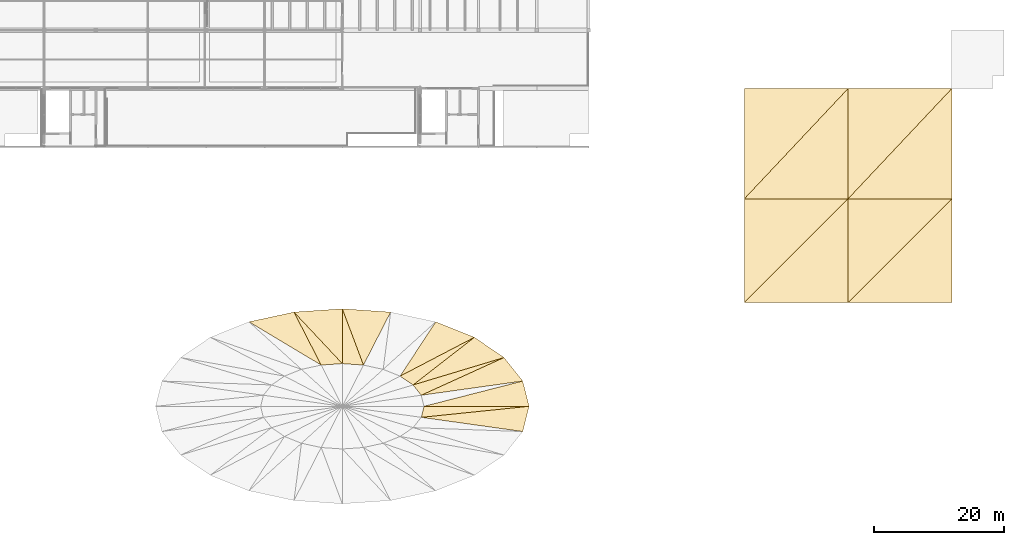
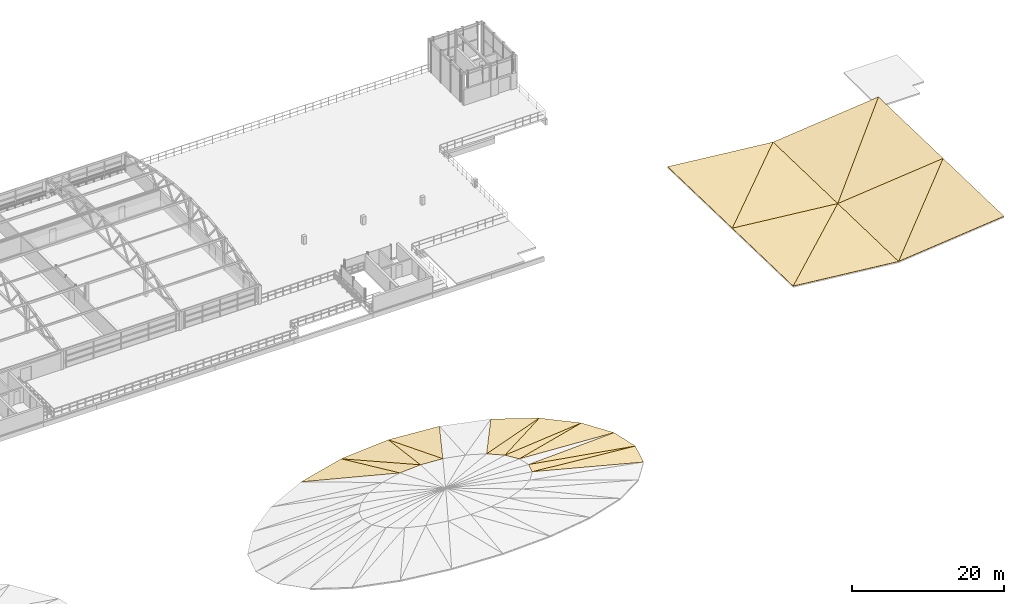
# One storey, part 50 of 50: 21 coverings.
"""IFC4 building model written with IfcOpenShell, lengths in metres."""

from ifc_helpers import new_model, si_unit, derived_unit, direction, frame, origin, place, context, subcontext, project, spatial, polygons, material, layer, layer_set, type_object, element, save


model = new_model("IFC4")

# Units and contexts
model_context = context("Model", 3, precision=1e-05, world=origin(), true_north=direction((0.0, 1.0)))
body_context = subcontext(model_context, "Body", "Model", "MODEL_VIEW")
ifc_project = project(units=[si_unit("LENGTHUNIT", "METRE"), si_unit("AREAUNIT", "SQUARE_METRE"), si_unit("VOLUMEUNIT", "CUBIC_METRE"), si_unit("PLANEANGLEUNIT", "RADIAN"), si_unit("MASSUNIT", "GRAM", prefix="KILO"), si_unit("THERMODYNAMICTEMPERATUREUNIT", "KELVIN"), derived_unit("THERMALTRANSMITTANCEUNIT", [(si_unit("POWERUNIT", "WATT"), 1), (si_unit("AREAUNIT", "SQUARE_METRE"), -1), (si_unit("THERMODYNAMICTEMPERATUREUNIT", "KELVIN"), -1)])], contexts=[model_context])

# Site, building, storey
site_placement = place(None, origin())
site = spatial("IfcSite", under=ifc_project, at=site_placement, CompositionType="ELEMENT")
building_placement = place(site_placement, origin())
building = spatial("IfcBuilding", under=site, at=building_placement, Name="Haiyu Intermodal Mobility Hub", CompositionType="ELEMENT")
storey_placement = place(building_placement, frame((0.0, 0.0, 25.10009765625)))
storey = spatial("IfcBuildingStorey", under=building, at=storey_placement, Name="L06", CompositionType="ELEMENT", Elevation=25.10009765625)

# Coverings
ifc_material_1 = material(Name="PTFE tensile membrane")
ifc_layer_1 = layer(ifc_material_1, 0.050048828125)
ifc_layer_set_1 = layer_set([ifc_layer_1], Name="PTFE tensile membrane")
covering_type_1 = type_object("IfcCoveringType", Name="COV-CV03", PredefinedType="ROOFING", material=ifc_layer_set_1)
covering_1_placement = place(storey_placement, origin())
element("IfcCovering", 1, at=covering_1_placement, inside=storey, type_object=covering_type_1, Name="PTFE Saddle Membrane 025", PredefinedType="ROOFING", context=body_context, shape_type="Tessellation", body=[
    polygons([(120.60009765625, 64.0, -0.589111328125), (136.800048828125, 64.0, -3.2880859375), (135.819091796875, 67.89306640625, -3.156982421875), (120.60009765625, 64.0, -0.5390625), (136.800048828125, 64.0, -3.238037109375), (135.819091796875, 67.89306640625, -3.107177734375)], [[[3, 2, 1]], [[4, 5, 6]], [[1, 2, 5, 4]], [[2, 3, 6, 5]], [[3, 1, 4, 6]]], closed=True),
])
covering_2_placement = place(storey_placement, origin())
element("IfcCovering", 2, at=covering_2_placement, inside=storey, type_object=covering_type_1, Name="PTFE Saddle Membrane 027", PredefinedType="ROOFING", context=body_context, shape_type="Tessellation", body=[
    polygons([(120.1708984375, 65.702880859375, -0.564208984375), (135.819091796875, 67.89306640625, -3.156982421875), (132.94189453125, 71.52001953125, -2.797119140625), (120.1708984375, 65.702880859375, -0.51416015625), (135.819091796875, 67.89306640625, -3.107177734375), (132.94189453125, 71.52001953125, -2.7470703125)], [[[3, 2, 1]], [[4, 5, 6]], [[1, 2, 5, 4]], [[2, 3, 6, 5]], [[3, 1, 4, 6]]], closed=True),
])
covering_3_placement = place(storey_placement, origin())
element("IfcCovering", 3, at=covering_3_placement, inside=storey, type_object=covering_type_1, Name="PTFE Saddle Membrane 028", PredefinedType="ROOFING", context=body_context, shape_type="Tessellation", body=[
    polygons([(120.1708984375, 65.702880859375, -0.564208984375), (132.94189453125, 71.52001953125, -2.797119140625), (118.912109375, 67.2900390625, -0.4951171875), (120.1708984375, 65.702880859375, -0.51416015625), (132.94189453125, 71.52001953125, -2.7470703125), (118.912109375, 67.2900390625, -0.445068359375)], [[[3, 2, 1]], [[4, 5, 6]], [[1, 2, 5, 4]], [[2, 3, 6, 5]], [[3, 1, 4, 6]]], closed=True),
])
covering_4_placement = place(storey_placement, origin())
element("IfcCovering", 4, at=covering_4_placement, inside=storey, type_object=covering_type_1, Name="PTFE Saddle Membrane 029", PredefinedType="ROOFING", context=body_context, shape_type="Tessellation", body=[
    polygons([(118.912109375, 67.2900390625, -0.4951171875), (132.94189453125, 71.52001953125, -2.797119140625), (128.364990234375, 74.635009765625, -2.30517578125), (118.912109375, 67.2900390625, -0.445068359375), (132.94189453125, 71.52001953125, -2.7470703125), (128.364990234375, 74.635009765625, -2.255126953125)], [[[3, 2, 1]], [[4, 5, 6]], [[1, 2, 5, 4]], [[2, 3, 6, 5]], [[3, 1, 4, 6]]], closed=True),
])
covering_5_placement = place(storey_placement, origin())
element("IfcCovering", 5, at=covering_5_placement, inside=storey, type_object=covering_type_1, Name="PTFE Saddle Membrane 030", PredefinedType="ROOFING", context=body_context, shape_type="Tessellation", body=[
    polygons([(118.912109375, 67.2900390625, -0.4951171875), (128.364990234375, 74.635009765625, -2.30517578125), (116.909912109375, 68.653076171875, -0.401123046875), (118.912109375, 67.2900390625, -0.445068359375), (128.364990234375, 74.635009765625, -2.255126953125), (116.909912109375, 68.653076171875, -0.35107421875)], [[[3, 2, 1]], [[4, 5, 6]], [[1, 2, 5, 4]], [[2, 3, 6, 5]], [[3, 1, 4, 6]]], closed=True),
])
covering_6_placement = place(storey_placement, origin())
element("IfcCovering", 6, at=covering_6_placement, inside=storey, type_object=covering_type_1, Name="PTFE Saddle Membrane 031", PredefinedType="ROOFING", context=body_context, shape_type="Tessellation", body=[
    polygons([(116.909912109375, 68.653076171875, -0.401123046875), (128.364990234375, 74.635009765625, -2.30517578125), (122.39990234375, 77.02490234375, -1.814208984375), (116.909912109375, 68.653076171875, -0.35107421875), (128.364990234375, 74.635009765625, -2.255126953125), (122.39990234375, 77.02490234375, -1.76416015625)], [[[3, 2, 1]], [[4, 5, 6]], [[1, 2, 5, 4]], [[2, 3, 6, 5]], [[3, 1, 4, 6]]], closed=True),
])
covering_7_placement = place(storey_placement, origin())
element("IfcCovering", 7, at=covering_7_placement, inside=storey, type_object=covering_type_1, Name="PTFE Saddle Membrane 035", PredefinedType="ROOFING", context=body_context, shape_type="Tessellation", body=[
    polygons([(111.260986328125, 70.35595703125, -0.238037109375), (115.4541015625, 78.528076171875, -1.4541015625), (108.0, 79.0400390625, -1.322021484375), (111.260986328125, 70.35595703125, -0.18798828125), (115.4541015625, 78.528076171875, -1.404052734375), (108.0, 79.0400390625, -1.272216796875)], [[[3, 2, 1]], [[4, 5, 6]], [[1, 2, 5, 4]], [[2, 3, 6, 5]], [[3, 1, 4, 6]]], closed=True),
])
covering_8_placement = place(storey_placement, origin())
element("IfcCovering", 8, at=covering_8_placement, inside=storey, type_object=covering_type_1, Name="PTFE Saddle Membrane 036", PredefinedType="ROOFING", context=body_context, shape_type="Tessellation", body=[
    polygons([(111.260986328125, 70.35595703125, -0.238037109375), (108.0, 79.0400390625, -1.322021484375), (108.0, 70.580078125, -0.213134765625), (111.260986328125, 70.35595703125, -0.18798828125), (108.0, 79.0400390625, -1.272216796875), (108.0, 70.580078125, -0.1630859375)], [[[3, 2, 1]], [[4, 5, 6]], [[1, 2, 5, 4]], [[2, 3, 6, 5]], [[3, 1, 4, 6]]], closed=True),
])
covering_9_placement = place(storey_placement, origin())
element("IfcCovering", 9, at=covering_9_placement, inside=storey, type_object=covering_type_1, Name="PTFE Saddle Membrane 037", PredefinedType="ROOFING", context=body_context, shape_type="Tessellation", body=[
    polygons([(108.0, 70.580078125, -0.213134765625), (108.0, 79.0400390625, -1.322021484375), (100.5458984375, 78.528076171875, -1.4541015625), (108.0, 70.580078125, -0.1630859375), (108.0, 79.0400390625, -1.272216796875), (100.5458984375, 78.528076171875, -1.404052734375)], [[[3, 2, 1]], [[4, 5, 6]], [[1, 2, 5, 4]], [[2, 3, 6, 5]], [[3, 1, 4, 6]]], closed=True),
])
covering_10_placement = place(storey_placement, origin())
element("IfcCovering", 10, at=covering_10_placement, inside=storey, type_object=covering_type_1, Name="PTFE Saddle Membrane 038", PredefinedType="ROOFING", context=body_context, shape_type="Tessellation", body=[
    polygons([(108.0, 70.580078125, -0.213134765625), (100.5458984375, 78.528076171875, -1.4541015625), (104.739013671875, 70.35595703125, -0.238037109375), (108.0, 70.580078125, -0.1630859375), (100.5458984375, 78.528076171875, -1.404052734375), (104.739013671875, 70.35595703125, -0.18798828125)], [[[3, 2, 1]], [[4, 5, 6]], [[1, 2, 5, 4]], [[2, 3, 6, 5]], [[3, 1, 4, 6]]], closed=True),
])
covering_11_placement = place(storey_placement, origin())
element("IfcCovering", 11, at=covering_11_placement, inside=storey, type_object=covering_type_1, Name="PTFE Saddle Membrane 039", PredefinedType="ROOFING", context=body_context, shape_type="Tessellation", body=[
    polygons([(104.739013671875, 70.35595703125, -0.238037109375), (100.5458984375, 78.528076171875, -1.4541015625), (93.60009765625, 77.02490234375, -1.814208984375), (104.739013671875, 70.35595703125, -0.18798828125), (100.5458984375, 78.528076171875, -1.404052734375), (93.60009765625, 77.02490234375, -1.76416015625)], [[[3, 2, 1]], [[4, 5, 6]], [[1, 2, 5, 4]], [[2, 3, 6, 5]], [[3, 1, 4, 6]]], closed=True),
])
covering_12_placement = place(storey_placement, origin())
element("IfcCovering", 12, at=covering_12_placement, inside=storey, type_object=covering_type_1, Name="PTFE Saddle Membrane 071", PredefinedType="ROOFING", context=body_context, shape_type="Tessellation", body=[
    polygons([(120.1708984375, 62.297119140625, -0.564208984375), (135.819091796875, 60.10693359375, -3.156982421875), (136.800048828125, 64.0, -3.2880859375), (120.1708984375, 62.297119140625, -0.51416015625), (135.819091796875, 60.10693359375, -3.107177734375), (136.800048828125, 64.0, -3.238037109375)], [[[3, 2, 1]], [[4, 5, 6]], [[1, 2, 5, 4]], [[2, 3, 6, 5]], [[3, 1, 4, 6]]], closed=True),
])
covering_13_placement = place(storey_placement, origin())
element("IfcCovering", 13, at=covering_13_placement, inside=storey, type_object=covering_type_1, Name="PTFE Saddle Membrane 072", PredefinedType="ROOFING", context=body_context, shape_type="Tessellation", body=[
    polygons([(120.1708984375, 62.297119140625, -0.564208984375), (136.800048828125, 64.0, -3.2880859375), (120.60009765625, 64.0, -0.589111328125), (120.1708984375, 62.297119140625, -0.51416015625), (136.800048828125, 64.0, -3.238037109375), (120.60009765625, 64.0, -0.5390625)], [[[3, 2, 1]], [[4, 5, 6]], [[1, 2, 5, 4]], [[2, 3, 6, 5]], [[3, 1, 4, 6]]], closed=True),
])
ifc_material_2 = material(Name="Anodised aluminium 6063-T6", Category="aluminium")
ifc_layer_2 = layer(ifc_material_2, 0.080078125)
ifc_layer_set_2 = layer_set([ifc_layer_2], Name="Anodised aluminium 6063-T6")
covering_type_2 = type_object("IfcCoveringType", Name="COV-CV04", PredefinedType="ROOFING", material=ifc_layer_set_2)
covering_14_placement = place(storey_placement, origin())
element("IfcCovering", 14, at=covering_14_placement, inside=storey, type_object=covering_type_2, Name="COV-V6-FOLD-01", PredefinedType="ROOFING", context=body_context, shape_type="Tessellation", body=[
    polygons([(170.0, 80.0, 1.0498046875), (186.0, 80.0, -0.60009765625), (186.0, 96.0, -1.01220703125), (170.0, 80.0, 1.099853515625), (186.0, 80.0, -0.550048828125), (186.0, 96.0, -0.962158203125)], [[[3, 2, 1]], [[4, 5, 6]], [[1, 2, 5, 4]], [[2, 3, 6, 5]], [[3, 1, 4, 6]]], closed=True),
])
covering_15_placement = place(storey_placement, origin())
element("IfcCovering", 15, at=covering_15_placement, inside=storey, type_object=covering_type_2, Name="COV-V6-FOLD-02", PredefinedType="ROOFING", context=body_context, shape_type="Tessellation", body=[
    polygons([(170.0, 80.0, 1.0498046875), (186.0, 96.0, -1.01220703125), (170.0, 96.0, 0.637939453125), (170.0, 80.0, 1.099853515625), (186.0, 96.0, -0.962158203125), (170.0, 96.0, 0.68798828125)], [[[3, 2, 1]], [[4, 5, 6]], [[1, 2, 5, 4]], [[2, 3, 6, 5]], [[3, 1, 4, 6]]], closed=True),
])
covering_16_placement = place(storey_placement, origin())
element("IfcCovering", 16, at=covering_16_placement, inside=storey, type_object=covering_type_2, Name="COV-V6-FOLD-03", PredefinedType="ROOFING", context=body_context, shape_type="Tessellation", body=[
    polygons([(170.0, 96.0, 0.637939453125), (186.0, 96.0, -1.01220703125), (186.0, 113.0, -1.4501953125), (170.0, 96.0, 0.68798828125), (186.0, 96.0, -0.962158203125), (186.0, 113.0, -1.400146484375)], [[[3, 2, 1]], [[4, 5, 6]], [[1, 2, 5, 4]], [[2, 3, 6, 5]], [[3, 1, 4, 6]]], closed=True),
])
covering_17_placement = place(storey_placement, origin())
element("IfcCovering", 17, at=covering_17_placement, inside=storey, type_object=covering_type_2, Name="COV-V6-FOLD-04", PredefinedType="ROOFING", context=body_context, shape_type="Tessellation", body=[
    polygons([(170.0, 96.0, 0.637939453125), (186.0, 113.0, -1.4501953125), (170.0, 113.0, 0.199951171875), (170.0, 96.0, 0.68798828125), (186.0, 113.0, -1.400146484375), (170.0, 113.0, 0.25)], [[[3, 2, 1]], [[4, 5, 6]], [[1, 2, 5, 4]], [[2, 3, 6, 5]], [[3, 1, 4, 6]]], closed=True),
])
covering_18_placement = place(storey_placement, origin())
element("IfcCovering", 18, at=covering_18_placement, inside=storey, type_object=covering_type_2, Name="COV-V6-FOLD-05", PredefinedType="ROOFING", context=body_context, shape_type="Tessellation", body=[
    polygons([(186.0, 80.0, -0.60009765625), (202.0, 80.0, 1.0498046875), (202.0, 96.0, 0.637939453125), (186.0, 80.0, -0.550048828125), (202.0, 80.0, 1.099853515625), (202.0, 96.0, 0.68798828125)], [[[3, 2, 1]], [[4, 5, 6]], [[1, 2, 5, 4]], [[2, 3, 6, 5]], [[3, 1, 4, 6]]], closed=True),
])
covering_19_placement = place(storey_placement, origin())
element("IfcCovering", 19, at=covering_19_placement, inside=storey, type_object=covering_type_2, Name="COV-V6-FOLD-06", PredefinedType="ROOFING", context=body_context, shape_type="Tessellation", body=[
    polygons([(186.0, 80.0, -0.60009765625), (202.0, 96.0, 0.637939453125), (186.0, 96.0, -1.01220703125), (186.0, 80.0, -0.550048828125), (202.0, 96.0, 0.68798828125), (186.0, 96.0, -0.962158203125)], [[[3, 2, 1]], [[4, 5, 6]], [[1, 2, 5, 4]], [[2, 3, 6, 5]], [[3, 1, 4, 6]]], closed=True),
])
covering_20_placement = place(storey_placement, origin())
element("IfcCovering", 20, at=covering_20_placement, inside=storey, type_object=covering_type_2, Name="COV-V6-FOLD-07", PredefinedType="ROOFING", context=body_context, shape_type="Tessellation", body=[
    polygons([(186.0, 96.0, -1.01220703125), (202.0, 96.0, 0.637939453125), (202.0, 113.0, 0.199951171875), (186.0, 96.0, -0.962158203125), (202.0, 96.0, 0.68798828125), (202.0, 113.0, 0.25)], [[[3, 2, 1]], [[4, 5, 6]], [[1, 2, 5, 4]], [[2, 3, 6, 5]], [[3, 1, 4, 6]]], closed=True),
])
covering_21_placement = place(storey_placement, origin())
element("IfcCovering", 21, at=covering_21_placement, inside=storey, type_object=covering_type_2, Name="COV-V6-FOLD-08", PredefinedType="ROOFING", context=body_context, shape_type="Tessellation", body=[
    polygons([(186.0, 96.0, -1.01220703125), (202.0, 113.0, 0.199951171875), (186.0, 113.0, -1.4501953125), (186.0, 96.0, -0.962158203125), (202.0, 113.0, 0.25), (186.0, 113.0, -1.400146484375)], [[[3, 2, 1]], [[4, 5, 6]], [[1, 2, 5, 4]], [[2, 3, 6, 5]], [[3, 1, 4, 6]]], closed=True),
])

save(model, "model.ifc")
